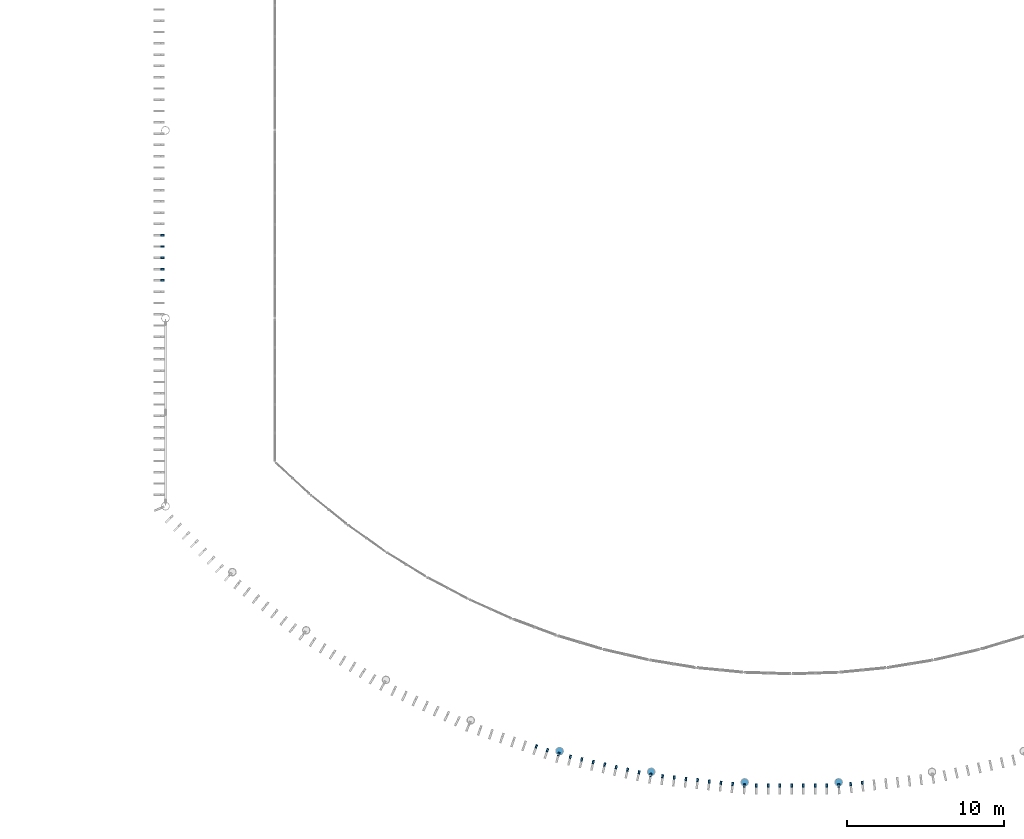
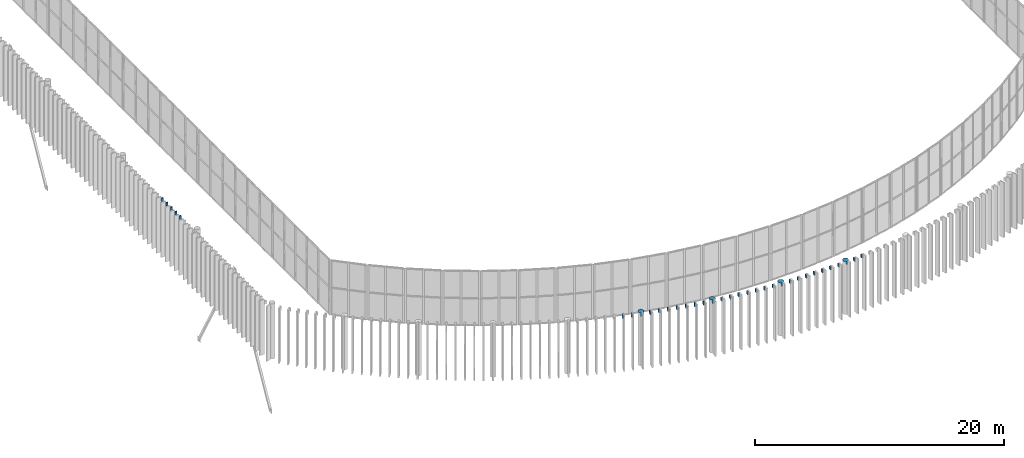
# One storey, part 127 of 170: 38 discrete accessories.
"""IFC4 building model written with IfcOpenShell, lengths in metres."""

import ifcopenshell
import ifcopenshell.guid

model = None  # the IFC model being written
_history = None  # IfcOwnerHistory: only IFC2X3 demands one
_inside = {}  # id of a spatial element -> (the spatial element, [elements in it])
_under = {}  # id of a project, library or spatial element -> (it, [spatial elements below it])
_declared = {}  # id of a project -> (the project, [libraries it declares])
_typed = {}  # id of a type object -> (the type object, [elements of that type])
_made_of = {}  # id of a material, layer set ... -> (it, [elements and type objects made of it])


def new_model(schema):
    """Start an empty IFC model of exactly this schema.

    Asked for "IFC4X3", IfcOpenShell would pick the latest addendum, in which some entities
    have other attributes; the version numbers below select the first issue.
    IFC2X3 requires an IfcOwnerHistory on every rooted entity: one is made here for all.
    """
    global model, _history
    if schema == "IFC4X3":
        model = ifcopenshell.file(schema_version=(4, 3, 0, 0))
    else:
        model = ifcopenshell.file(schema=schema)
    _inside.clear()
    _under.clear()
    _declared.clear()
    _typed.clear()
    _made_of.clear()
    _history = None
    if model.schema == "IFC2X3":
        org = make("IfcOrganization", Name="unknown")
        user = make(
            "IfcPersonAndOrganization",
            ThePerson=make("IfcPerson", FamilyName="unknown"),
            TheOrganization=org,
        )
        app = make(
            "IfcApplication",
            ApplicationDeveloper=org,
            Version="unknown",
            ApplicationFullName="unknown",
            ApplicationIdentifier="unknown",
        )
        _history = make(
            "IfcOwnerHistory",
            OwningUser=user,
            OwningApplication=app,
            ChangeAction="ADDED",
            CreationDate=0,
        )
    return model


def make(cls, **values):
    """One entity of the class cls with the attributes given. An attribute that is None is left unset."""
    return model.create_entity(
        cls, **{name: value for name, value in values.items() if value is not None}
    )


def rooted(cls, **values):
    """An entity with a GlobalId (a new one), such as an element, a storey or a relation."""
    return make(cls, GlobalId=ifcopenshell.guid.new(), OwnerHistory=_history, **values)


def si_unit(unit_type, name, prefix=None):
    """IfcSIUnit, for example si_unit("LENGTHUNIT", "METRE", prefix="MILLI")."""
    return make("IfcSIUnit", UnitType=unit_type, Prefix=prefix, Name=name)


def assignment(units):
    """IfcUnitAssignment: the units of a project."""
    return None if units is None else make("IfcUnitAssignment", Units=units)


def point(xyz):
    """IfcCartesianPoint."""
    return None if xyz is None else make("IfcCartesianPoint", Coordinates=xyz)


def direction(xyz):
    """IfcDirection."""
    return None if xyz is None else make("IfcDirection", DirectionRatios=xyz)


def frame(location, z_axis=None, x_axis=None):
    """IfcAxis2Placement3D, a coordinate frame: its origin and axes. An axis left out is left unset."""
    return make(
        "IfcAxis2Placement3D",
        Location=point(location),
        Axis=direction(z_axis),
        RefDirection=direction(x_axis),
    )


def frame_2d(location, x_axis=None):
    """IfcAxis2Placement2D, a coordinate frame in the plane: its origin and x axis."""
    return make(
        "IfcAxis2Placement2D", Location=point(location), RefDirection=direction(x_axis)
    )


def origin():
    """The frame at (0, 0, 0) with its axes left unset."""
    return frame((0.0, 0.0, 0.0))


def origin_2d():
    """The frame at (0, 0) in the plane with its x axis left unset."""
    return frame_2d((0.0, 0.0))


def place(relative_to, where):
    """IfcLocalPlacement: puts the frame where relative to a parent placement (None: the world)."""
    return make(
        "IfcLocalPlacement", PlacementRelTo=relative_to, RelativePlacement=where
    )


def context(
    kind, dimensions, precision=None, world=None, true_north=None, identifier=None
):
    """IfcGeometricRepresentationContext, for example the 3D "Model" context."""
    return make(
        "IfcGeometricRepresentationContext",
        ContextIdentifier=identifier,
        ContextType=kind,
        CoordinateSpaceDimension=dimensions,
        Precision=precision,
        WorldCoordinateSystem=world,
        TrueNorth=true_north,
    )


def subcontext(parent, identifier, kind, view, scale=None):
    """IfcGeometricRepresentationSubContext, for example "Body" below "Model"."""
    return make(
        "IfcGeometricRepresentationSubContext",
        ContextIdentifier=identifier,
        ContextType=kind,
        ParentContext=parent,
        TargetScale=scale,
        TargetView=view,
    )


def project(units=None, contexts=None):
    """IfcProject with its units and contexts."""
    return rooted(
        "IfcProject",
        Name="project",
        RepresentationContexts=contexts,
        UnitsInContext=assignment(units),
    )


def spatial(cls, under=None, at=None, **own):
    """A site, building, storey or space (cls), placed at a placement, below another one or the project."""
    s = rooted(cls, ObjectPlacement=at, **own)
    if under is not None:
        _under.setdefault(under.id(), (under, []))[1].append(s)
    return s


def profile(cls, at=None, kind="AREA", **sizes):
    """A parametric profile (cls). Its sizes go by their IFC names, for example OverallWidth=200.0."""
    return make(cls, ProfileType=kind, Position=at, **sizes)


def rectangle(**sizes):
    """IfcRectangleProfileDef."""
    return profile("IfcRectangleProfileDef", **sizes)


def circle(**sizes):
    """IfcCircleProfileDef."""
    return profile("IfcCircleProfileDef", **sizes)


def extrude(swept, where, along, depth):
    """IfcExtrudedAreaSolid: the profile swept, set in the frame where, extruded along a direction by depth."""
    return make(
        "IfcExtrudedAreaSolid",
        SweptArea=swept,
        Position=where,
        ExtrudedDirection=direction(along),
        Depth=depth,
    )


def shape(context_of_items, identifier, shape_type, items):
    """IfcShapeRepresentation: the items that make up one representation, for example the "Body"."""
    return make(
        "IfcShapeRepresentation",
        ContextOfItems=context_of_items,
        RepresentationIdentifier=identifier,
        RepresentationType=shape_type,
        Items=items,
    )


def material(Name=None, Category=None):
    """IfcMaterial."""
    return make("IfcMaterial", Name=Name, Category=Category)


def material_profile(
    of_material, cross_section, Name=None, Category=None, Priority=None
):
    """IfcMaterialProfile: a cross section and its material."""
    return make(
        "IfcMaterialProfile",
        Name=Name,
        Material=of_material,
        Profile=cross_section,
        Priority=Priority,
        Category=Category,
    )


def profile_set(profiles, Name=None, composite=None):
    """IfcMaterialProfileSet."""
    return make(
        "IfcMaterialProfileSet",
        Name=Name,
        MaterialProfiles=profiles,
        CompositeProfile=composite,
    )


def made_of(thing, what):
    """Note that an element or type object is made of a material, layer set ...; save() writes the relation."""
    if what is not None:
        _made_of.setdefault(what.id(), (what, []))[1].append(thing)
    return thing


def type_object(cls, material=None, **own):
    """A type object (cls), such as IfcWallType, which elements share."""
    return made_of(rooted(cls, **own), material)


def element(
    cls,
    number,
    at=None,
    inside=None,
    cuts=None,
    type_object=None,
    material=None,
    context=None,
    identifier="Body",
    shape_type=None,
    held_by="IfcProductDefinitionShape",
    body=None,
    shapes=None,
    **own,
):
    """One element of the class cls, such as IfcWall. Its Tag is "e" and its number.

    at: its placement. inside: the storey or other place that contains it. cuts: it is an
    opening in that element (IfcRelVoidsElement). A single representation is given by context,
    identifier, shape_type and body (its items); several are given by shapes. held_by: the class
    of the entity that holds the representations. save() writes the other relations.
    """
    e = rooted(cls, Tag="e%d" % number, ObjectPlacement=at, **own)
    if body is not None:
        shapes = [shape(context, identifier, shape_type, body)]
    if shapes is not None:
        e.Representation = make(held_by, Representations=shapes)
    if inside is not None:
        _inside.setdefault(inside.id(), (inside, []))[1].append(e)
    if cuts is not None:
        rooted(
            "IfcRelVoidsElement", RelatingBuildingElement=cuts, RelatedOpeningElement=e
        )
    if type_object is not None:
        _typed.setdefault(type_object.id(), (type_object, []))[1].append(e)
    return made_of(e, material)


def aggregate(whole, parts):
    """IfcRelAggregates: a whole, such as a stair, and the parts it consists of."""
    return rooted("IfcRelAggregates", RelatingObject=whole, RelatedObjects=parts)


def save(model, path):
    """Write the relations noted so far, then the file.

    IfcRelAggregates (storeys below a building ...), IfcRelContainedInSpatialStructure (elements
    in a storey), IfcRelDefinesByType, IfcRelAssociatesMaterial and IfcRelDeclares: one each for
    every whole, place, type object, material and project.
    """
    for whole, parts in _under.values():
        aggregate(whole, parts)
    for where, things in _inside.values():
        rooted(
            "IfcRelContainedInSpatialStructure",
            RelatedElements=things,
            RelatingStructure=where,
        )
    for kind, things in _typed.values():
        rooted("IfcRelDefinesByType", RelatedObjects=things, RelatingType=kind)
    for what, things in _made_of.values():
        rooted("IfcRelAssociatesMaterial", RelatedObjects=things, RelatingMaterial=what)
    for by, libraries in _declared.values():
        rooted("IfcRelDeclares", RelatingContext=by, RelatedDefinitions=libraries)
    model.write(path)


model = new_model("IFC4")

# Units and contexts
model_context = context("Model", 3, precision=1e-05, world=origin(), true_north=direction((0.0, 1.0)))
body_context = subcontext(model_context, "Body", "Model", "MODEL_VIEW")
ifc_project = project(units=[si_unit("LENGTHUNIT", "METRE"), si_unit("AREAUNIT", "SQUARE_METRE"), si_unit("VOLUMEUNIT", "CUBIC_METRE"), si_unit("PLANEANGLEUNIT", "RADIAN"), si_unit("MASSUNIT", "GRAM", prefix="KILO")], contexts=[model_context])

# Site, building, storey
site_placement = place(None, origin())
site = spatial("IfcSite", under=ifc_project, at=site_placement, CompositionType="ELEMENT")
building_placement = place(site_placement, origin())
building = spatial("IfcBuilding", under=site, at=building_placement, Name="Ravi Spectrum Wholesale Market", CompositionType="ELEMENT")
storey_placement = place(building_placement, frame((0.0, 0.0, 5.39990234375)))
storey = spatial("IfcBuildingStorey", under=building, at=storey_placement, Name="L01", CompositionType="ELEMENT", Elevation=5.39990234375)

# Discrete accessories
ifc_material_1 = material(Name="Steel S355", Category="steel")
ifc_material_profile = material_profile(ifc_material_1, circle(Radius=0.25390625, at=origin_2d()))
ifc_profile_set = profile_set([ifc_material_profile], Name="Steel S355")
discrete_accessory_type_1 = type_object("IfcDiscreteAccessoryType", Name="End plate CHS 508x16", PredefinedType="BRACKET", material=ifc_profile_set)
for number, where, z_axis, x_axis, name in (
    (1, (55.177734375, 14.350830078125, 5.2001953125), (0.0, 0.0, 1.0), (1.0, 0.0, 0.0), "End plate"),
    (2, (61.03271484375, 13.0263671875, 5.2001953125), (0.0, 0.0, 1.0), (1.0, 0.0, 0.0), "End plate"),
    (3, (66.99853515625, 12.360107421875, 5.2001953125), (0.0, 0.0, 1.0), (1.0, 0.0, 0.0), "End plate"),
    (4, (73.00146484375, 12.360107421875, 5.2001953125), (0.0, 0.0, 1.0), (1.0, 0.0, 0.0), "End plate"),
):
    element("IfcDiscreteAccessory", number, at=place(storey_placement, frame(where, z_axis=z_axis, x_axis=x_axis)), inside=storey, type_object=discrete_accessory_type_1, Name=name, PredefinedType="BRACKET", context=body_context, shape_type="SweptSolid", body=[
        extrude(circle(Radius=0.25390625, at=origin_2d()), origin(), (0.0, 0.0, 1.0), 0.011962890625),
    ])
ifc_material_2 = material(Name="Steel S355", Category="steel")
discrete_accessory_type_2 = type_object("IfcDiscreteAccessoryType", Name="Fin bracket 120", PredefinedType="BRACKET", material=ifc_material_2)
for number, where, z_axis, x_axis, name in (
    (5, (29.800048828125, 47.3046875, 4.89990234375), (0.0, 0.0, 1.0), (0.0, -1.0, 0.0), "Fin bracket B210"),
    (6, (29.800048828125, 46.583740234375, 4.89990234375), (0.0, 0.0, 1.0), (0.0, -1.0, 0.0), "Fin bracket B211"),
    (7, (29.800048828125, 45.862548828125, 4.89990234375), (0.0, 0.0, 1.0), (0.0, -1.0, 0.0), "Fin bracket B212"),
    (8, (29.800048828125, 45.1416015625, 4.89990234375), (0.0, 0.0, 1.0), (0.0, -1.0, 0.0), "Fin bracket B213"),
    (9, (29.800048828125, 44.420654296875, 4.89990234375), (0.0, 0.0, 1.0), (0.0, -1.0, 0.0), "Fin bracket B214"),
    (10, (53.694091796875, 14.6533203125, 4.89990234375), (0.0, 0.0, 1.0), (0.944847087681, -0.32751180269, 0.0), "Fin bracket B272"),
    (11, (54.403076171875, 14.40771484375, 4.89990234375), (0.0, 0.0, 1.0), (0.944847087681, -0.32751180269, 0.0), "Fin bracket B273"),
    (12, (55.122802734375, 14.158447265625, 4.89990234375), (0.0, 0.0, 1.0), (0.961590461677, -0.27448822199, 0.0), "Fin bracket B274"),
    (13, (55.865478515625, 13.990234375, 4.89990234375), (0.0, 0.0, 1.0), (0.97536075116, -0.220615967456, 0.0), "Fin bracket B275"),
    (14, (56.59716796875, 13.82470703125, 4.89990234375), (0.0, 0.0, 1.0), (0.97536075116, -0.220615967456, 0.0), "Fin bracket B276"),
    (15, (57.3291015625, 13.6591796875, 4.89990234375), (0.0, 0.0, 1.0), (0.97536075116, -0.220615967456, 0.0), "Fin bracket B277"),
    (16, (58.06103515625, 13.49365234375, 4.89990234375), (0.0, 0.0, 1.0), (0.97536075116, -0.220615967456, 0.0), "Fin bracket B278"),
    (17, (58.79296875, 13.328125, 4.89990234375), (0.0, 0.0, 1.0), (0.97536075116, -0.220615967456, 0.0), "Fin bracket B279"),
    (18, (59.52490234375, 13.16259765625, 4.89990234375), (0.0, 0.0, 1.0), (0.97536075116, -0.220615967456, 0.0), "Fin bracket B280"),
    (19, (60.256591796875, 12.9970703125, 4.89990234375), (0.0, 0.0, 1.0), (0.97536075116, -0.220615967456, 0.0), "Fin bracket B281"),
    (20, (60.99951171875, 12.829345703125, 4.89990234375), (0.0, 0.0, 1.0), (0.986115380594, -0.166061603499, 0.0), "Fin bracket B282"),
    (21, (61.756103515625, 12.744384765625, 4.89990234375), (0.0, 0.0, 1.0), (0.993821098377, -0.110993803521, 0.0), "Fin bracket B283"),
    (22, (62.501953125, 12.6611328125, 4.89990234375), (0.0, 0.0, 1.0), (0.993821098377, -0.110993803521, 0.0), "Fin bracket B284"),
    (23, (63.24755859375, 12.577880859375, 4.89990234375), (0.0, 0.0, 1.0), (0.993821098377, -0.110993803521, 0.0), "Fin bracket B285"),
    (24, (63.993408203125, 12.49462890625, 4.89990234375), (0.0, 0.0, 1.0), (0.993821098377, -0.110993803521, 0.0), "Fin bracket B286"),
    (25, (64.739013671875, 12.411376953125, 4.89990234375), (0.0, 0.0, 1.0), (0.993821098377, -0.110993803521, 0.0), "Fin bracket B287"),
    (26, (65.48486328125, 12.327880859375, 4.89990234375), (0.0, 0.0, 1.0), (0.993821098377, -0.110993803521, 0.0), "Fin bracket B288"),
    (27, (66.230712890625, 12.24462890625, 4.89990234375), (0.0, 0.0, 1.0), (0.993821098377, -0.110993803521, 0.0), "Fin bracket B289"),
    (28, (66.9873046875, 12.160400390625, 4.89990234375), (0.0, 0.0, 1.0), (0.998454079659, -0.055582828385, 0.0), "Fin bracket B290"),
    (29, (67.748779296875, 12.16015625, 4.89990234375), (0.0, 0.0, 1.0), (1.0, 0.0, 0.0), "Fin bracket B291"),
    (30, (68.499267578125, 12.16015625, 4.89990234375), (0.0, 0.0, 1.0), (1.0, 0.0, 0.0), "Fin bracket B292"),
    (31, (69.24951171875, 12.16015625, 4.89990234375), (0.0, 0.0, 1.0), (1.0, 0.0, 0.0), "Fin bracket B293"),
    (32, (70.0, 12.16015625, 4.89990234375), (0.0, 0.0, 1.0), (1.0, 0.0, 0.0), "Fin bracket B294"),
    (33, (70.75048828125, 12.16015625, 4.89990234375), (0.0, 0.0, 1.0), (1.0, 0.0, 0.0), "Fin bracket B295"),
    (34, (71.500732421875, 12.16015625, 4.89990234375), (0.0, 0.0, 1.0), (1.0, 0.0, 0.0), "Fin bracket B296"),
    (35, (72.251220703125, 12.16015625, 4.89990234375), (0.0, 0.0, 1.0), (1.0, 0.0, 0.0), "Fin bracket B297"),
    (36, (73.0126953125, 12.160400390625, 4.89990234375), (0.0, 0.0, 1.0), (0.998454079659, 0.055582828385, 0.0), "Fin bracket B298"),
    (37, (73.769287109375, 12.24462890625, 4.89990234375), (0.0, 0.0, 1.0), (0.993821098377, 0.110993803521, 0.0), "Fin bracket B299"),
    (38, (74.51513671875, 12.327880859375, 4.89990234375), (0.0, 0.0, 1.0), (0.993821098377, 0.110993803521, 0.0), "Fin bracket B300"),
):
    element("IfcDiscreteAccessory", number, at=place(storey_placement, frame(where, z_axis=z_axis, x_axis=x_axis)), inside=storey, type_object=discrete_accessory_type_2, Name=name, PredefinedType="BRACKET", context=body_context, shape_type="SweptSolid", body=[
        extrude(rectangle(XDim=0.1201171875, YDim=0.219970703125, at=origin_2d()), origin(), (0.0, 0.0, 1.0), 0.300048828125),
    ])

save(model, "model.ifc")
